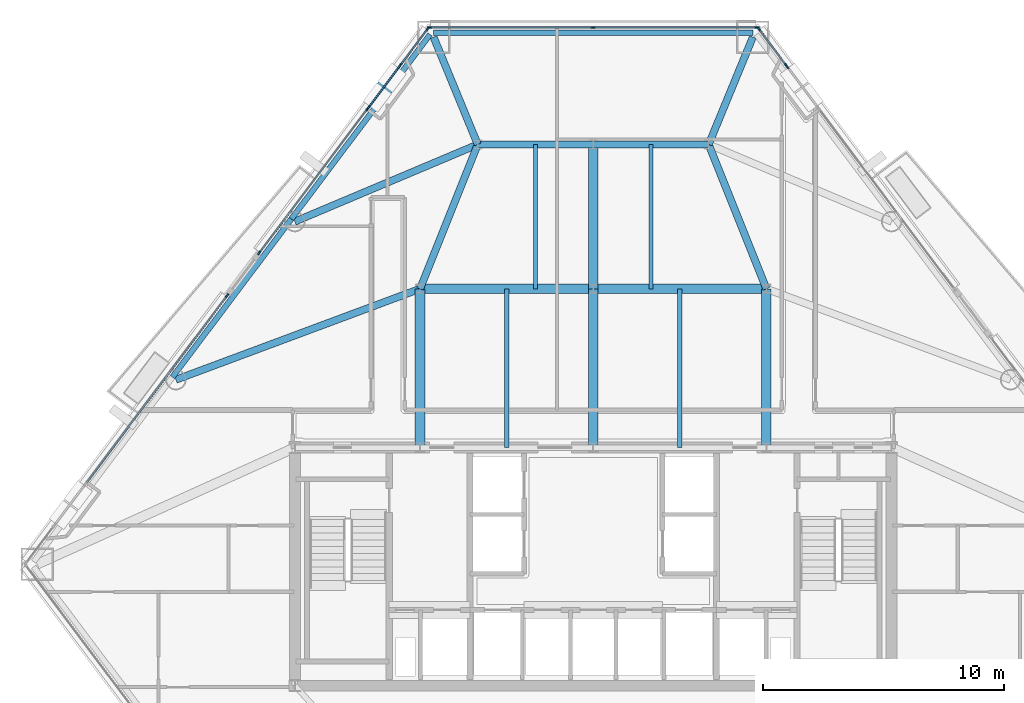
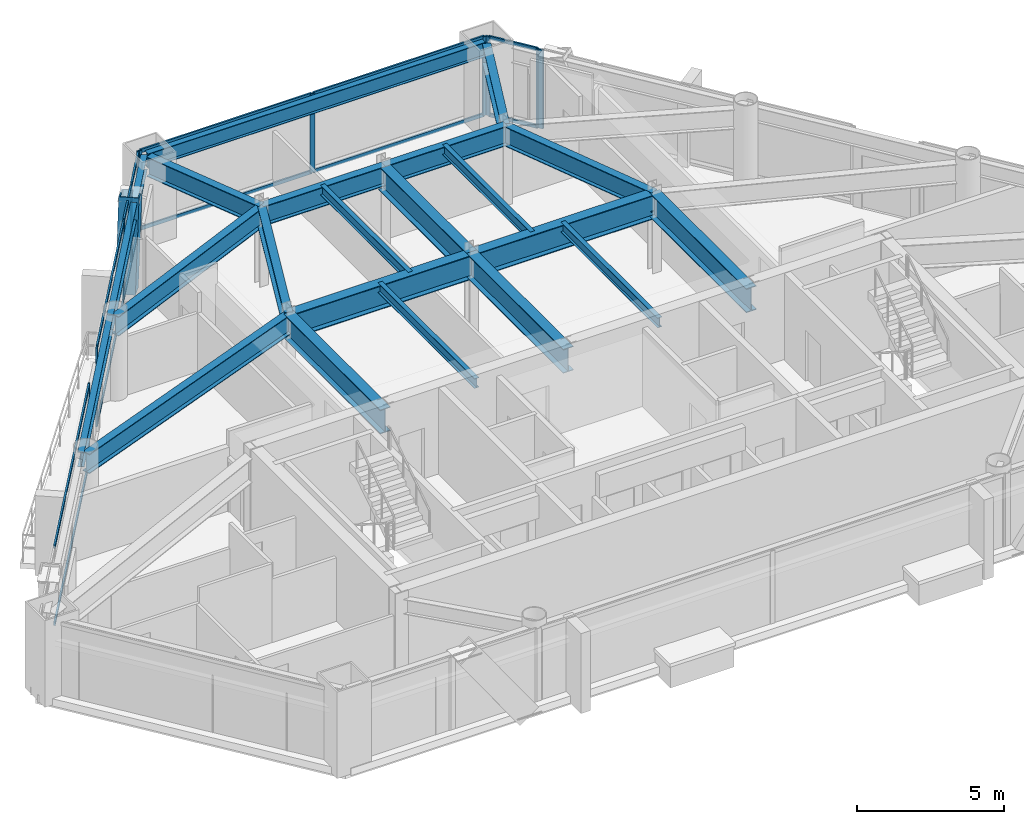
# One storey, part 3 of 10: 28 members, 21 beams, 7 elements without a shape of their own.
"""IFC4 building model written with IfcOpenShell, lengths in metres."""

from ifc_helpers import new_model, si_unit, direction, frame, origin, origin_2d, place, context, subcontext, project, spatial, rectangle, hollow_rectangle, i_section, extrude, material, layer, layer_set, material_profile, profile_set, type_object, element, aggregate, save


model = new_model("IFC4")

# Units and contexts
model_context = context("Model", 3, precision=1e-05, world=origin(), true_north=direction((0.0, 1.0)))
body_context = subcontext(model_context, "Body", "Model", "MODEL_VIEW")
ifc_project = project(units=[si_unit("LENGTHUNIT", "METRE"), si_unit("AREAUNIT", "SQUARE_METRE"), si_unit("VOLUMEUNIT", "CUBIC_METRE"), si_unit("PLANEANGLEUNIT", "RADIAN"), si_unit("MASSUNIT", "GRAM", prefix="KILO")], contexts=[model_context])

# Site, building, storey
site_placement = place(None, origin())
site = spatial("IfcSite", under=ifc_project, at=site_placement, CompositionType="ELEMENT")
building_placement = place(site_placement, origin())
building = spatial("IfcBuilding", under=site, at=building_placement, Name="Talgorran Terracotta Tower", CompositionType="ELEMENT")
storey_placement = place(building_placement, frame((0.0, 0.0, 86.39990234375)))
storey = spatial("IfcBuildingStorey", under=building, at=storey_placement, Name="L22", CompositionType="ELEMENT", Elevation=86.39990234375)

# Beams
ifc_material_1 = material(Name="Steel Grade 350 (350L0)", Category="steel")
ifc_material_profile_1 = material_profile(ifc_material_1, i_section(OverallWidth=0.39990234375, OverallDepth=1.0, WebThickness=0.01611328125, FlangeThickness=0.031005859375, at=origin_2d()), Name="1000WB296")
ifc_profile_set_1 = profile_set([ifc_material_profile_1], Name="Steel Grade 350 (350L0)")
beam_type_1 = type_object("IfcBeamType", Name="BM_1000WB296", PredefinedType="BEAM", material=ifc_profile_set_1)
for number, where, z_axis, x_axis, name in (
    (1, (-7.199951171875, -4.199951171875, 2.780029296875), (0.0, 1.0, 0.0), (-1.0, 0.0, 0.0), "L22 Floor Girder G01"),
    (2, (0.0, -4.199951171875, 2.780029296875), (0.0, 1.0, 0.0), (-1.0, 0.0, 0.0), "L22 Floor Girder G02"),
    (3, (7.199951171875, -4.199951171875, 2.780029296875), (0.0, 1.0, 0.0), (-1.0, 0.0, 0.0), "L22 Floor Girder G03"),
):
    element("IfcBeam", number, at=place(storey_placement, frame(where, z_axis=z_axis, x_axis=x_axis)), inside=storey, type_object=beam_type_1, Name=name, PredefinedType="BEAM", context=body_context, shape_type="SweptSolid", body=[
        extrude(i_section(OverallWidth=0.39990234375, OverallDepth=1.0, WebThickness=0.01611328125, FlangeThickness=0.031005859375, at=origin_2d()), origin(), (0.0, 0.0, 1.0), 6.599853515625),
    ])
for number, where, z_axis, x_axis, name in (
    (4, (-7.199951171875, 2.39990234375, 2.780029296875), (1.0, 0.0, 0.0), (0.0, 1.0, 0.0), "L22 Floor Girder G04"),
    (5, (0.0, 2.39990234375, 2.780029296875), (1.0, 0.0, 0.0), (0.0, 1.0, 0.0), "L22 Floor Girder G05"),
):
    element("IfcBeam", number, at=place(storey_placement, frame(where, z_axis=z_axis, x_axis=x_axis)), inside=storey, type_object=beam_type_1, Name=name, PredefinedType="BEAM", context=body_context, shape_type="SweptSolid", body=[
        extrude(i_section(OverallWidth=0.39990234375, OverallDepth=1.0, WebThickness=0.01611328125, FlangeThickness=0.031005859375, at=origin_2d()), origin(), (0.0, 0.0, 1.0), 7.199951171875),
    ])
beam_1_placement = place(storey_placement, frame((0.0, 2.39990234375, 2.780029296875), z_axis=(0.0, 1.0, 0.0), x_axis=(-1.0, 0.0, 0.0)))
element("IfcBeam", 6, at=beam_1_placement, inside=storey, type_object=beam_type_1, Name="L22 Floor Girder G09", PredefinedType="BEAM", context=body_context, shape_type="SweptSolid", body=[
    extrude(i_section(OverallWidth=0.39990234375, OverallDepth=1.0, WebThickness=0.01611328125, FlangeThickness=0.031005859375, at=origin_2d()), origin(), (0.0, 0.0, 1.0), 6.0),
])
ifc_material_2 = material(Name="Steel S355 (300PLUS)", Category="steel")
ifc_material_profile_2 = material_profile(ifc_material_2, i_section(OverallWidth=0.300048828125, OverallDepth=0.81591796875, WebThickness=0.013916015625, FlangeThickness=0.028076171875, at=origin_2d()), Name="800WB192")
ifc_profile_set_2 = profile_set([ifc_material_profile_2], Name="Steel S355 (300PLUS)")
beam_type_2 = type_object("IfcBeamType", Name="BM_800WB192", PredefinedType="BEAM", material=ifc_profile_set_2)
beam_2_placement = place(storey_placement, frame((-7.199951171875, 2.39990234375, 2.8720703125), z_axis=(-0.93710770278, -0.34904033204, 0.0), x_axis=(0.34904033204, -0.93710770278, 0.0)))
element("IfcBeam", 7, at=beam_2_placement, inside=storey, type_object=beam_type_2, Name="L22 Floor Girder G06", PredefinedType="BEAM", context=body_context, shape_type="SweptSolid", body=[
    extrude(i_section(OverallWidth=0.300048828125, OverallDepth=0.81591796875, WebThickness=0.013916015625, FlangeThickness=0.028076171875, at=origin_2d()), origin(), (0.0, 0.0, 1.0), 10.831787109375),
])
for number, where, z_axis, x_axis, name in (
    (8, (-7.199951171875, 2.39990234375, 2.8720703125), (0.371377648723, 0.928481901832, 0.0), (-0.928481901832, 0.371377648723, 0.0), "L22 Floor Girder G08"),
    (9, (7.199951171875, 2.39990234375, 2.8720703125), (-0.371377648723, 0.928481901832, 0.0), (-0.928481901832, -0.371377648723, 0.0), "L22 Floor Girder G10"),
):
    element("IfcBeam", number, at=place(storey_placement, frame(where, z_axis=z_axis, x_axis=x_axis)), inside=storey, type_object=beam_type_2, Name=name, PredefinedType="BEAM", context=body_context, shape_type="SweptSolid", body=[
        extrude(i_section(OverallWidth=0.300048828125, OverallDepth=0.81591796875, WebThickness=0.013916015625, FlangeThickness=0.028076171875, at=origin_2d()), origin(), (0.0, 0.0, 1.0), 6.462158203125),
    ])
for number, where, z_axis, x_axis, name in (
    (10, (-4.800048828125, 8.39990234375, 2.8720703125), (1.0, 0.0, 0.0), (0.0, 1.0, 0.0), "L22 Floor Girder G11"),
    (11, (0.0, 8.39990234375, 2.8720703125), (1.0, 0.0, 0.0), (0.0, 1.0, 0.0), "L22 Floor Girder G12"),
):
    element("IfcBeam", number, at=place(storey_placement, frame(where, z_axis=z_axis, x_axis=x_axis)), inside=storey, type_object=beam_type_2, Name=name, PredefinedType="BEAM", context=body_context, shape_type="SweptSolid", body=[
        extrude(i_section(OverallWidth=0.300048828125, OverallDepth=0.81591796875, WebThickness=0.013916015625, FlangeThickness=0.028076171875, at=origin_2d()), origin(), (0.0, 0.0, 1.0), 4.800048828125),
    ])
beam_3_placement = place(storey_placement, frame((-4.800048828125, 8.39990234375, 2.8720703125), z_axis=(-0.921492221575, -0.388396814582, 0.0), x_axis=(0.388396814582, -0.921492221575, 0.0)))
element("IfcBeam", 12, at=beam_3_placement, inside=storey, type_object=beam_type_2, Name="L22 Floor Girder G13", PredefinedType="BEAM", context=body_context, shape_type="SweptSolid", body=[
    extrude(i_section(OverallWidth=0.300048828125, OverallDepth=0.81591796875, WebThickness=0.013916015625, FlangeThickness=0.028076171875, at=origin_2d()), origin(), (0.0, 0.0, 1.0), 8.25390625),
])
for number, where, z_axis, x_axis, name in (
    (13, (-4.800048828125, 8.39990234375, 2.8720703125), (-0.380457312245, 0.924798482676, 0.0), (-0.924798482676, -0.380457312245, 0.0), "L22 Floor Girder G15"),
    (14, (4.800048828125, 8.39990234375, 2.8720703125), (0.380457312245, 0.924798482676, 0.0), (-0.924798482676, 0.380457312245, 0.0), "L22 Floor Girder G16"),
):
    element("IfcBeam", number, at=place(storey_placement, frame(where, z_axis=z_axis, x_axis=x_axis)), inside=storey, type_object=beam_type_2, Name=name, PredefinedType="BEAM", context=body_context, shape_type="SweptSolid", body=[
        extrude(i_section(OverallWidth=0.300048828125, OverallDepth=0.81591796875, WebThickness=0.013916015625, FlangeThickness=0.028076171875, at=origin_2d()), origin(), (0.0, 0.0, 1.0), 4.828125),
    ])
ifc_material_profile_3 = material_profile(ifc_material_2, i_section(OverallWidth=0.177734375, OverallDepth=0.406494140625, WebThickness=0.0078125, FlangeThickness=0.0126953125, at=origin_2d()), Name="410UB59.7")
ifc_profile_set_3 = profile_set([ifc_material_profile_3], Name="Steel S355 (300PLUS)")
beam_type_3 = type_object("IfcBeamType", Name="BM_JS_410UB60", PredefinedType="JOIST", material=ifc_profile_set_3)
for number, where, z_axis, x_axis, name in (
    (15, (-3.60009765625, -4.199951171875, 3.076904296875), (0.0, 1.0, 0.0), (-1.0, 0.0, 0.0), "L22 Secondary Joist J01"),
    (16, (3.60009765625, -4.199951171875, 3.076904296875), (0.0, 1.0, 0.0), (-1.0, 0.0, 0.0), "L22 Secondary Joist J02"),
):
    element("IfcBeam", number, at=place(storey_placement, frame(where, z_axis=z_axis, x_axis=x_axis)), inside=storey, type_object=beam_type_3, Name=name, PredefinedType="JOIST", context=body_context, shape_type="SweptSolid", body=[
        extrude(i_section(OverallWidth=0.177734375, OverallDepth=0.406494140625, WebThickness=0.0078125, FlangeThickness=0.0126953125, at=origin_2d()), origin(), (0.0, 0.0, 1.0), 6.599853515625),
    ])
for number, where, z_axis, x_axis, name in (
    (17, (-2.39990234375, 2.39990234375, 3.076904296875), (0.0, 1.0, 0.0), (-1.0, 0.0, 0.0), "L22 Secondary Joist J03"),
    (18, (2.39990234375, 2.39990234375, 3.076904296875), (0.0, 1.0, 0.0), (-1.0, 0.0, 0.0), "L22 Secondary Joist J04"),
):
    element("IfcBeam", number, at=place(storey_placement, frame(where, z_axis=z_axis, x_axis=x_axis)), inside=storey, type_object=beam_type_3, Name=name, PredefinedType="JOIST", context=body_context, shape_type="SweptSolid", body=[
        extrude(i_section(OverallWidth=0.177734375, OverallDepth=0.406494140625, WebThickness=0.0078125, FlangeThickness=0.0126953125, at=origin_2d()), origin(), (0.0, 0.0, 1.0), 6.0),
    ])
ifc_material_profile_4 = material_profile(ifc_material_2, i_section(OverallWidth=0.22900390625, OverallDepth=0.611572265625, WebThickness=0.011962890625, FlangeThickness=0.01953125, at=origin_2d()), Name="610UB125")
ifc_profile_set_4 = profile_set([ifc_material_profile_4], Name="Steel S355 (300PLUS)")
beam_type_4 = type_object("IfcBeamType", Name="BM_SP_610UB125", PredefinedType="SPANDREL", material=ifc_profile_set_4)
beam_4_placement = place(storey_placement, frame((6.636962890625, 13.045166015625, 2.974365234375), z_axis=(-1.0, 0.0, 0.0), x_axis=(0.0, -1.0, 0.0)))
element("IfcBeam", 19, at=beam_4_placement, inside=storey, type_object=beam_type_4, Name="L22 Perimeter Spandrel Beam MC5-MC6", PredefinedType="SPANDREL", context=body_context, shape_type="SweptSolid", body=[
    extrude(i_section(OverallWidth=0.22900390625, OverallDepth=0.611572265625, WebThickness=0.011962890625, FlangeThickness=0.01953125, at=origin_2d()), origin(), (0.0, 0.0, 1.0), 13.27392578125),
])
beam_5_placement = place(storey_placement, frame((-6.781005859375, 12.973388671875, 2.974365234375), z_axis=(-0.601041374216, -0.799217909259, 0.0), x_axis=(0.799217909259, -0.601041374216, 0.0)))
element("IfcBeam", 20, at=beam_5_placement, inside=storey, type_object=beam_type_4, Name="L22 Perimeter Spandrel Beam MC6-FC5", PredefinedType="SPANDREL", context=body_context, shape_type="SweptSolid", body=[
    extrude(i_section(OverallWidth=0.22900390625, OverallDepth=0.611572265625, WebThickness=0.011962890625, FlangeThickness=0.01953125, at=origin_2d()), origin(), (0.0, 0.0, 1.0), 9.597900390625),
])
beam_6_placement = place(storey_placement, frame((-12.5498046875, 5.302490234375, 2.974365234375), z_axis=(-0.601025104516, -0.799230144415, 0.0), x_axis=(0.799230144415, -0.601025104516, 0.0)))
element("IfcBeam", 21, at=beam_6_placement, inside=storey, type_object=beam_type_4, Name="L22 Perimeter Spandrel Beam FC5-FC6", PredefinedType="SPANDREL", context=body_context, shape_type="SweptSolid", body=[
    extrude(i_section(OverallWidth=0.22900390625, OverallDepth=0.611572265625, WebThickness=0.011962890625, FlangeThickness=0.01953125, at=origin_2d()), origin(), (0.0, 0.0, 1.0), 8.226806640625),
])

# Member
ifc_material_profile_5 = material_profile(ifc_material_1, hollow_rectangle(XDim=0.699951171875, YDim=0.89990234375, WallThickness=0.050048828125, at=origin_2d()), Name="WBOX900X700X50")
ifc_profile_set_5 = profile_set([ifc_material_profile_5], Name="Steel Grade 350 (350L0)")
member_type_1 = type_object("IfcMemberType", Name="MB_MEGA_900", PredefinedType="BRACE", material=ifc_profile_set_5)
member_1_placement = place(storey_placement, frame((-8.977783203125, 10.351318359375, -0.02490234375), z_axis=(0.177811978191, 0.236429002903, 0.955240402725), x_axis=(-0.79920388083, 0.601060027674, 0.0)))
element("IfcMember", 22, at=member_1_placement, inside=storey, type_object=member_type_1, Name="L22 Exterior Face Mega-Brace MB-1 (NWU)", PredefinedType="BRACE", context=body_context, shape_type="SweptSolid", body=[
    extrude(hollow_rectangle(XDim=0.699951171875, YDim=0.89990234375, WallThickness=0.050048828125, at=origin_2d()), origin(), (0.0, 0.0, 1.0), 3.486083984375),
])

# Curtain wall, member
ifc_material_3 = material(Name="Unitised Low-E Double Glazing", Category="glass")
ifc_layer = layer(ifc_material_3, 0.199951171875, Name="CW_SYS2_RES_LOW")
ifc_layer_set = layer_set([ifc_layer], Name="Unitised Low-E Double Glazing")
curtain_wall_type = type_object("IfcCurtainWallType", Name="CW_SYS2_RES_LOW", PredefinedType="NOTDEFINED", material=ifc_layer_set)
curtain_wall_1_placement = place(storey_placement, origin())
curtain_wall_1 = element("IfcCurtainWall", 23, at=curtain_wall_1_placement, inside=storey, type_object=curtain_wall_type, Name="CW-L22-F41B", PredefinedType="NOTDEFINED")
ifc_material_4 = material(Name="Architectural Aluminium 6063-T6", Category="aluminium")
ifc_material_profile_6 = material_profile(ifc_material_4, rectangle(XDim=0.06494140625, YDim=0.18505859375, at=origin_2d()), Name="CWM65X185")
ifc_profile_set_6 = profile_set([ifc_material_profile_6], Name="Architectural Aluminium 6063-T6")
member_type_2 = type_object("IfcMemberType", Name="MUL_65X185", PredefinedType="MULLION", material=ifc_profile_set_6)
member_2_placement = place(storey_placement, frame((8.06396484375, 11.633056640625, 0.0), z_axis=(0.0, 0.0, 1.0), x_axis=(-0.799190500308, -0.60107781877, 0.0)))
member_2 = element("IfcMember", 24, at=member_2_placement, type_object=member_type_2, Name="CW-L22-41B mullion 2", PredefinedType="MULLION", context=body_context, shape_type="SweptSolid", body=[
    extrude(rectangle(XDim=0.06494140625, YDim=0.18505859375, at=origin_2d()), origin(), (0.0, 0.0, 1.0), 3.280029296875),
])
aggregate(curtain_wall_1, [member_2])

# Curtain wall, members
curtain_wall_2_placement = place(storey_placement, origin())
curtain_wall_2 = element("IfcCurtainWall", 25, at=curtain_wall_2_placement, inside=storey, type_object=curtain_wall_type, Name="CW-L22-F41C", PredefinedType="NOTDEFINED")
member_3_placement = place(storey_placement, frame((8.018798828125, 11.693115234375, 0.0), z_axis=(0.0, 0.0, 1.0), x_axis=(-0.79921541244, -0.601044694277, 0.0)))
member_3 = element("IfcMember", 26, at=member_3_placement, type_object=member_type_2, Name="CW-L22-41C mullion 1", PredefinedType="MULLION", context=body_context, shape_type="SweptSolid", body=[
    extrude(rectangle(XDim=0.06494140625, YDim=0.18505859375, at=origin_2d()), origin(), (0.0, 0.0, 1.0), 3.280029296875),
])
member_4_placement = place(storey_placement, frame((6.880126953125, 13.20703125, 0.0), z_axis=(0.0, 0.0, 1.0), x_axis=(-0.79921541244, -0.601044694277, 0.0)))
member_4 = element("IfcMember", 27, at=member_4_placement, type_object=member_type_2, Name="CW-L22-41C mullion 2", PredefinedType="MULLION", context=body_context, shape_type="SweptSolid", body=[
    extrude(rectangle(XDim=0.06494140625, YDim=0.18505859375, at=origin_2d()), origin(), (0.0, 0.0, 1.0), 3.280029296875),
])

curtain_wall_3_placement = place(storey_placement, origin())
curtain_wall_3 = element("IfcCurtainWall", 28, at=curtain_wall_3_placement, inside=storey, type_object=curtain_wall_type, Name="CW-L22-F4", PredefinedType="NOTDEFINED")
member_5_placement = place(storey_placement, frame((6.80419921875, 13.26513671875, 0.0), z_axis=(0.0, 0.0, 1.0), x_axis=(0.0, -1.0, 0.0)))
member_5 = element("IfcMember", 29, at=member_5_placement, type_object=member_type_2, Name="CW-L22-4 mullion 1", PredefinedType="MULLION", context=body_context, shape_type="SweptSolid", body=[
    extrude(rectangle(XDim=0.06494140625, YDim=0.18505859375, at=origin_2d()), origin(), (0.0, 0.0, 1.0), 3.280029296875),
])
member_6_placement = place(storey_placement, frame((0.0, 13.26513671875, 0.0), z_axis=(0.0, 0.0, 1.0), x_axis=(0.0, -1.0, 0.0)))
member_6 = element("IfcMember", 30, at=member_6_placement, type_object=member_type_2, Name="CW-L22-4 mullion 2", PredefinedType="MULLION", context=body_context, shape_type="SweptSolid", body=[
    extrude(rectangle(XDim=0.06494140625, YDim=0.18505859375, at=origin_2d()), origin(), (0.0, 0.0, 1.0), 3.280029296875),
])
member_7_placement = place(storey_placement, frame((-6.80419921875, 13.26513671875, 0.0), z_axis=(0.0, 0.0, 1.0), x_axis=(0.0, -1.0, 0.0)))
member_7 = element("IfcMember", 31, at=member_7_placement, type_object=member_type_2, Name="CW-L22-4 mullion 3", PredefinedType="MULLION", context=body_context, shape_type="SweptSolid", body=[
    extrude(rectangle(XDim=0.06494140625, YDim=0.18505859375, at=origin_2d()), origin(), (0.0, 0.0, 1.0), 3.280029296875),
])

curtain_wall_4_placement = place(storey_placement, origin())
curtain_wall_4 = element("IfcCurtainWall", 32, at=curtain_wall_4_placement, inside=storey, type_object=curtain_wall_type, Name="CW-L22-F60", PredefinedType="NOTDEFINED")
member_8_placement = place(storey_placement, frame((-6.880126953125, 13.20703125, 0.0), z_axis=(0.0, 0.0, 1.0), x_axis=(0.79921541244, -0.601044694277, 0.0)))
member_8 = element("IfcMember", 33, at=member_8_placement, type_object=member_type_2, Name="CW-L22-60 mullion 1", PredefinedType="MULLION", context=body_context, shape_type="SweptSolid", body=[
    extrude(rectangle(XDim=0.06494140625, YDim=0.18505859375, at=origin_2d()), origin(), (0.0, 0.0, 1.0), 3.280029296875),
])
member_9_placement = place(storey_placement, frame((-8.018798828125, 11.693115234375, 0.0), z_axis=(0.0, 0.0, 1.0), x_axis=(0.79921541244, -0.601044694277, 0.0)))
member_9 = element("IfcMember", 34, at=member_9_placement, type_object=member_type_2, Name="CW-L22-60 mullion 2", PredefinedType="MULLION", context=body_context, shape_type="SweptSolid", body=[
    extrude(rectangle(XDim=0.06494140625, YDim=0.18505859375, at=origin_2d()), origin(), (0.0, 0.0, 1.0), 3.280029296875),
])

curtain_wall_5_placement = place(storey_placement, origin())
curtain_wall_5 = element("IfcCurtainWall", 35, at=curtain_wall_5_placement, inside=storey, type_object=curtain_wall_type, Name="CW-L22-F60B", PredefinedType="NOTDEFINED")
member_10_placement = place(storey_placement, frame((-8.06396484375, 11.633056640625, 0.0), z_axis=(0.0, 0.0, 1.0), x_axis=(0.799190500308, -0.60107781877, 0.0)))
member_10 = element("IfcMember", 36, at=member_10_placement, type_object=member_type_2, Name="CW-L22-60B mullion 1", PredefinedType="MULLION", context=body_context, shape_type="SweptSolid", body=[
    extrude(rectangle(XDim=0.06494140625, YDim=0.18505859375, at=origin_2d()), origin(), (0.0, 0.0, 1.0), 3.280029296875),
])
member_11_placement = place(storey_placement, frame((-9.3359375, 9.94189453125, 0.0), z_axis=(0.0, 0.0, 1.0), x_axis=(0.799190500308, -0.60107781877, 0.0)))
member_11 = element("IfcMember", 37, at=member_11_placement, type_object=member_type_2, Name="CW-L22-60B mullion 2", PredefinedType="MULLION", context=body_context, shape_type="SweptSolid", body=[
    extrude(rectangle(XDim=0.06494140625, YDim=0.18505859375, at=origin_2d()), origin(), (0.0, 0.0, 1.0), 3.280029296875),
])

curtain_wall_6_placement = place(storey_placement, origin())
curtain_wall_6 = element("IfcCurtainWall", 38, at=curtain_wall_6_placement, inside=storey, type_object=curtain_wall_type, Name="CW-L22-F60C", PredefinedType="NOTDEFINED")
member_12_placement = place(storey_placement, frame((-9.380859375, 9.882080078125, 0.0), z_axis=(0.0, 0.0, 1.0), x_axis=(0.79921331925, -0.601047477603, 0.0)))
member_12 = element("IfcMember", 39, at=member_12_placement, type_object=member_type_2, Name="CW-L22-60C mullion 1", PredefinedType="MULLION", context=body_context, shape_type="SweptSolid", body=[
    extrude(rectangle(XDim=0.06494140625, YDim=0.18505859375, at=origin_2d()), origin(), (0.0, 0.0, 1.0), 3.280029296875),
])
member_13_placement = place(storey_placement, frame((-13.88427734375, 3.89404296875, 0.0), z_axis=(0.0, 0.0, 1.0), x_axis=(0.79921331925, -0.601047477603, 0.0)))
member_13 = element("IfcMember", 40, at=member_13_placement, type_object=member_type_2, Name="CW-L22-60C mullion 2", PredefinedType="MULLION", context=body_context, shape_type="SweptSolid", body=[
    extrude(rectangle(XDim=0.06494140625, YDim=0.18505859375, at=origin_2d()), origin(), (0.0, 0.0, 1.0), 3.280029296875),
])

# Curtain wall, member
curtain_wall_7_placement = place(storey_placement, origin())
curtain_wall_7 = element("IfcCurtainWall", 41, at=curtain_wall_7_placement, inside=storey, type_object=curtain_wall_type, Name="CW-L22-F61", PredefinedType="NOTDEFINED")
member_14_placement = place(storey_placement, frame((-15.221435546875, 2.11572265625, 0.0), z_axis=(0.0, 0.0, 1.0), x_axis=(0.799212779935, -0.60104819473, 0.0)))
member_14 = element("IfcMember", 42, at=member_14_placement, type_object=member_type_2, Name="CW-L22-61 mullion 1", PredefinedType="MULLION", context=body_context, shape_type="SweptSolid", body=[
    extrude(rectangle(XDim=0.06494140625, YDim=0.18505859375, at=origin_2d()), origin(), (0.0, 0.0, 1.0), 3.280029296875),
])

# Member
ifc_material_profile_7 = material_profile(ifc_material_4, rectangle(XDim=0.06494140625, YDim=0.14990234375, at=origin_2d()), Name="CWT65X150")
ifc_profile_set_7 = profile_set([ifc_material_profile_7], Name="Architectural Aluminium 6063-T6")
member_type_3 = type_object("IfcMemberType", Name="TRN_65X150", PredefinedType="USERDEFINED", material=ifc_profile_set_7)
member_15_placement = place(storey_placement, frame((7.999267578125, 11.718994140625, 0.03271484375), z_axis=(-0.60104571213, 0.799214646969, 0.0), x_axis=(-0.799214646969, -0.60104571213, 0.0)))
member_15 = element("IfcMember", 43, at=member_15_placement, type_object=member_type_3, Name="CW-L22-41C transom 1.1", ObjectType="TRANSOM", PredefinedType="USERDEFINED", context=body_context, shape_type="SweptSolid", body=[
    extrude(rectangle(XDim=0.06494140625, YDim=0.14990234375, at=origin_2d()), origin(), (0.0, 0.0, 1.0), 1.82958984375),
])

member_16_placement = place(storey_placement, frame((7.999267578125, 11.718994140625, 3.24755859375), z_axis=(-0.60104571213, 0.799214646969, 0.0), x_axis=(-0.799214646969, -0.60104571213, 0.0)))
member_16 = element("IfcMember", 44, at=member_16_placement, type_object=member_type_3, Name="CW-L22-41C transom 1.2", ObjectType="TRANSOM", PredefinedType="USERDEFINED", context=body_context, shape_type="SweptSolid", body=[
    extrude(rectangle(XDim=0.06494140625, YDim=0.14990234375, at=origin_2d()), origin(), (0.0, 0.0, 1.0), 1.82958984375),
])

aggregate(curtain_wall_2, [member_3, member_4, member_15, member_16])

member_17_placement = place(storey_placement, frame((6.771728515625, 13.26513671875, 0.03271484375), z_axis=(-1.0, 0.0, 0.0), x_axis=(0.0, -1.0, 0.0)))
member_17 = element("IfcMember", 45, at=member_17_placement, type_object=member_type_3, Name="CW-L22-4 transom 1.1", ObjectType="TRANSOM", PredefinedType="USERDEFINED", context=body_context, shape_type="SweptSolid", body=[
    extrude(rectangle(XDim=0.06494140625, YDim=0.14990234375, at=origin_2d()), origin(), (0.0, 0.0, 1.0), 6.7392578125),
])

member_18_placement = place(storey_placement, frame((6.771728515625, 13.26513671875, 3.24755859375), z_axis=(-1.0, 0.0, 0.0), x_axis=(0.0, -1.0, 0.0)))
member_18 = element("IfcMember", 46, at=member_18_placement, type_object=member_type_3, Name="CW-L22-4 transom 1.2", ObjectType="TRANSOM", PredefinedType="USERDEFINED", context=body_context, shape_type="SweptSolid", body=[
    extrude(rectangle(XDim=0.06494140625, YDim=0.14990234375, at=origin_2d()), origin(), (0.0, 0.0, 1.0), 6.7392578125),
])

member_19_placement = place(storey_placement, frame((-0.032470703125, 13.26513671875, 0.03271484375), z_axis=(-1.0, 0.0, 0.0), x_axis=(0.0, -1.0, 0.0)))
member_19 = element("IfcMember", 47, at=member_19_placement, type_object=member_type_3, Name="CW-L22-4 transom 2.1", ObjectType="TRANSOM", PredefinedType="USERDEFINED", context=body_context, shape_type="SweptSolid", body=[
    extrude(rectangle(XDim=0.06494140625, YDim=0.14990234375, at=origin_2d()), origin(), (0.0, 0.0, 1.0), 6.7392578125),
])

member_20_placement = place(storey_placement, frame((-0.032470703125, 13.26513671875, 3.24755859375), z_axis=(-1.0, 0.0, 0.0), x_axis=(0.0, -1.0, 0.0)))
member_20 = element("IfcMember", 48, at=member_20_placement, type_object=member_type_3, Name="CW-L22-4 transom 2.2", ObjectType="TRANSOM", PredefinedType="USERDEFINED", context=body_context, shape_type="SweptSolid", body=[
    extrude(rectangle(XDim=0.06494140625, YDim=0.14990234375, at=origin_2d()), origin(), (0.0, 0.0, 1.0), 6.7392578125),
])

aggregate(curtain_wall_3, [member_5, member_6, member_7, member_17, member_18, member_19, member_20])

member_21_placement = place(storey_placement, frame((-6.899658203125, 13.18115234375, 0.03271484375), z_axis=(-0.60104571213, -0.799214646969, 0.0), x_axis=(0.799214646969, -0.60104571213, 0.0)))
member_21 = element("IfcMember", 49, at=member_21_placement, type_object=member_type_3, Name="CW-L22-60 transom 1.1", ObjectType="TRANSOM", PredefinedType="USERDEFINED", context=body_context, shape_type="SweptSolid", body=[
    extrude(rectangle(XDim=0.06494140625, YDim=0.14990234375, at=origin_2d()), origin(), (0.0, 0.0, 1.0), 1.82958984375),
])

member_22_placement = place(storey_placement, frame((-6.899658203125, 13.18115234375, 3.24755859375), z_axis=(-0.60104571213, -0.799214646969, 0.0), x_axis=(0.799214646969, -0.60104571213, 0.0)))
member_22 = element("IfcMember", 50, at=member_22_placement, type_object=member_type_3, Name="CW-L22-60 transom 1.2", ObjectType="TRANSOM", PredefinedType="USERDEFINED", context=body_context, shape_type="SweptSolid", body=[
    extrude(rectangle(XDim=0.06494140625, YDim=0.14990234375, at=origin_2d()), origin(), (0.0, 0.0, 1.0), 1.82958984375),
])

aggregate(curtain_wall_4, [member_8, member_9, member_21, member_22])

member_23_placement = place(storey_placement, frame((-8.08349609375, 11.607177734375, 0.03271484375), z_axis=(-0.601104031107, -0.799170785119, 0.0), x_axis=(0.799170785119, -0.601104031107, 0.0)))
member_23 = element("IfcMember", 51, at=member_23_placement, type_object=member_type_3, Name="CW-L22-60B transom 1.1", ObjectType="TRANSOM", PredefinedType="USERDEFINED", context=body_context, shape_type="SweptSolid", body=[
    extrude(rectangle(XDim=0.06494140625, YDim=0.14990234375, at=origin_2d()), origin(), (0.0, 0.0, 1.0), 2.051025390625),
])

member_24_placement = place(storey_placement, frame((-8.08349609375, 11.607177734375, 3.24755859375), z_axis=(-0.601104031107, -0.799170785119, 0.0), x_axis=(0.799170785119, -0.601104031107, 0.0)))
member_24 = element("IfcMember", 52, at=member_24_placement, type_object=member_type_3, Name="CW-L22-60B transom 1.2", ObjectType="TRANSOM", PredefinedType="USERDEFINED", context=body_context, shape_type="SweptSolid", body=[
    extrude(rectangle(XDim=0.06494140625, YDim=0.14990234375, at=origin_2d()), origin(), (0.0, 0.0, 1.0), 2.051025390625),
])

aggregate(curtain_wall_5, [member_10, member_11, member_23, member_24])

member_25_placement = place(storey_placement, frame((-9.400390625, 9.85595703125, 0.03271484375), z_axis=(-0.601077621242, -0.799190648871, 0.0), x_axis=(0.799190648871, -0.601077621242, 0.0)))
member_25 = element("IfcMember", 53, at=member_25_placement, type_object=member_type_3, Name="CW-L22-60C transom 1.1", ObjectType="TRANSOM", PredefinedType="USERDEFINED", context=body_context, shape_type="SweptSolid", body=[
    extrude(rectangle(XDim=0.06494140625, YDim=0.14990234375, at=origin_2d()), origin(), (0.0, 0.0, 1.0), 7.42724609375),
])

member_26_placement = place(storey_placement, frame((-9.400390625, 9.85595703125, 3.24755859375), z_axis=(-0.601077621242, -0.799190648871, 0.0), x_axis=(0.799190648871, -0.601077621242, 0.0)))
member_26 = element("IfcMember", 54, at=member_26_placement, type_object=member_type_3, Name="CW-L22-60C transom 1.2", ObjectType="TRANSOM", PredefinedType="USERDEFINED", context=body_context, shape_type="SweptSolid", body=[
    extrude(rectangle(XDim=0.06494140625, YDim=0.14990234375, at=origin_2d()), origin(), (0.0, 0.0, 1.0), 7.42724609375),
])

aggregate(curtain_wall_6, [member_12, member_13, member_25, member_26])

member_27_placement = place(storey_placement, frame((-15.240966796875, 2.08984375, 0.03271484375), z_axis=(-0.60104627789, -0.799214221492, 0.0), x_axis=(0.799214221492, -0.60104627789, 0.0)))
member_27 = element("IfcMember", 55, at=member_27_placement, type_object=member_type_3, Name="CW-L22-61 transom 1.1", ObjectType="TRANSOM", PredefinedType="USERDEFINED", context=body_context, shape_type="SweptSolid", body=[
    extrude(rectangle(XDim=0.06494140625, YDim=0.14990234375, at=origin_2d()), origin(), (0.0, 0.0, 1.0), 9.6650390625),
])

member_28_placement = place(storey_placement, frame((-15.240966796875, 2.08984375, 3.24755859375), z_axis=(-0.60104627789, -0.799214221492, 0.0), x_axis=(0.799214221492, -0.60104627789, 0.0)))
member_28 = element("IfcMember", 56, at=member_28_placement, type_object=member_type_3, Name="CW-L22-61 transom 1.2", ObjectType="TRANSOM", PredefinedType="USERDEFINED", context=body_context, shape_type="SweptSolid", body=[
    extrude(rectangle(XDim=0.06494140625, YDim=0.14990234375, at=origin_2d()), origin(), (0.0, 0.0, 1.0), 9.6650390625),
])

aggregate(curtain_wall_7, [member_14, member_27, member_28])

save(model, "model.ifc")
